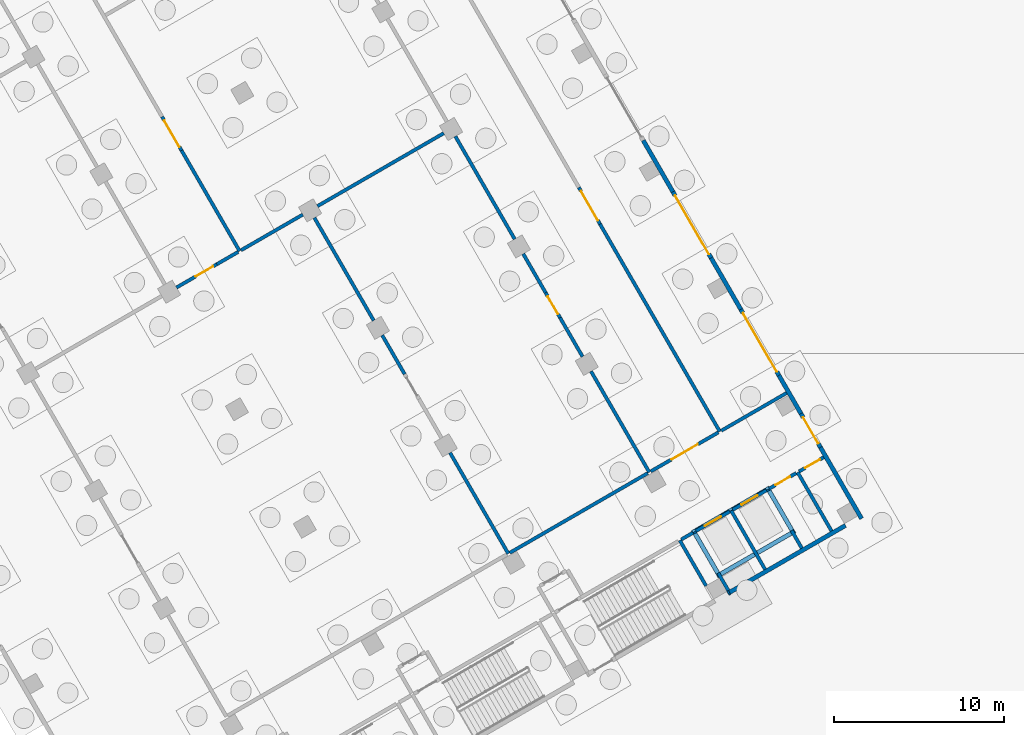
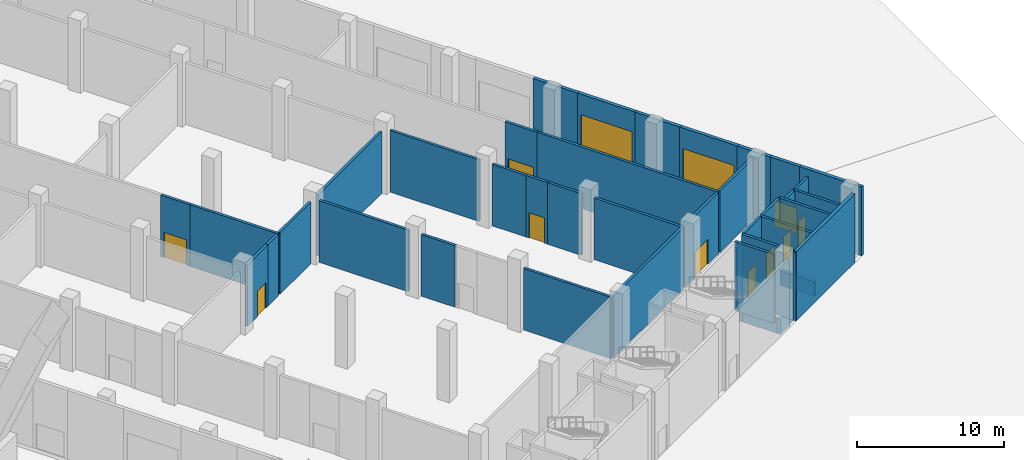
# One storey, part 22 of 38: 42 walls, 12 doors, 12 openings.
"""IFC4 building model written with IfcOpenShell, lengths in metres."""

from ifc_helpers import new_model, si_unit, direction, frame, frame_2d, origin, place, context, subcontext, project, spatial, rectangle, extrude, material, layer, layer_set, type_object, element, fill, save


model = new_model("IFC4")

# Units and contexts
model_context = context("Model", 3, precision=1e-05, world=origin(), true_north=direction((0.0, 1.0)))
body_context = subcontext(model_context, "Body", "Model", "MODEL_VIEW")
ifc_project = project(units=[si_unit("LENGTHUNIT", "METRE"), si_unit("AREAUNIT", "SQUARE_METRE"), si_unit("VOLUMEUNIT", "CUBIC_METRE"), si_unit("PLANEANGLEUNIT", "RADIAN"), si_unit("MASSUNIT", "GRAM", prefix="KILO")], contexts=[model_context])

# Site, building, storey
site_placement = place(None, origin())
site = spatial("IfcSite", under=ifc_project, at=site_placement, CompositionType="ELEMENT")
building_placement = place(site_placement, origin())
building = spatial("IfcBuilding", under=site, at=building_placement, Name="Mestral Congress Tower", CompositionType="ELEMENT")
storey_placement = place(building_placement, origin())
storey = spatial("IfcBuildingStorey", under=building, at=storey_placement, Name="L00", CompositionType="ELEMENT", Elevation=0.0)

# Walls
ifc_material_1 = material(Name="Concrete C35/45", Category="concrete")
ifc_layer_1 = layer(ifc_material_1, 0.25)
ifc_layer_set_1 = layer_set([ifc_layer_1], Name="Concrete C35/45")
wall_type_1 = type_object("IfcWallType", Name="Lift pit wall 250 C35/45", PredefinedType="SOLIDWALL", material=ifc_layer_set_1)
for number, where, z_axis, x_axis, name in (
    (1, (75.3935546875, -1.12939453125, -1.5), (0.0, 0.0, 1.0), (0.866029095148, 0.499993606316, 0.0), "WL-PIT-E0-A"),
    (2, (73.918701171875, 1.42529296875, -1.5), (0.0, 0.0, 1.0), (0.866029095148, 0.499993606316, 0.0), "WL-PIT-E0-B"),
):
    element("IfcWall", number, at=place(storey_placement, frame(where, z_axis=z_axis, x_axis=x_axis)), inside=storey, type_object=wall_type_1, Name=name, PredefinedType="SOLIDWALL", context=body_context, shape_type="SweptSolid", body=[
        extrude(rectangle(XDim=5.2998046875, YDim=0.25, at=frame_2d((2.64990234375, 0.0))), origin(), (0.0, 0.0, 1.0), 1.199951171875),
    ])
wall_1_placement = place(storey_placement, frame((75.439208984375, -0.958740234375, -1.5), z_axis=(0.0, 0.0, 1.0), x_axis=(-0.499980770555, 0.866036505625, 0.0)))
element("IfcWall", 3, at=wall_1_placement, inside=storey, type_object=wall_type_1, Name="WL-PIT-E0-C", PredefinedType="SOLIDWALL", context=body_context, shape_type="SweptSolid", body=[
    extrude(rectangle(XDim=2.69970703125, YDim=0.25, at=frame_2d((1.349853515625, 0.0))), origin(), (0.0, 0.0, 1.0), 1.199951171875),
])
wall_2_placement = place(storey_placement, frame((79.812744140625, 1.566162109375, -1.5), z_axis=(0.0, 0.0, 1.0), x_axis=(-0.4999416173, 0.866059108428, 0.0)))
element("IfcWall", 4, at=wall_2_placement, inside=storey, type_object=wall_type_1, Name="WL-PIT-E0-D", PredefinedType="SOLIDWALL", context=body_context, shape_type="SweptSolid", body=[
    extrude(rectangle(XDim=2.699951171875, YDim=0.25, at=frame_2d((1.35009765625, 0.0))), origin(), (0.0, 0.0, 1.0), 1.199951171875),
])
ifc_material_2 = material(Name="Precast concrete C40/50 with limestone facing", Category="masonry")
ifc_layer_2 = layer(ifc_material_2, 0.25)
ifc_layer_set_2 = layer_set([ifc_layer_2], Name="Precast concrete C40/50 with limestone facing")
wall_type_2 = type_object("IfcWallType", Name="Podium external wall 250", PredefinedType="SOLIDWALL", material=ifc_layer_set_2)
wall_3_placement = place(storey_placement, frame((81.490234375, 6.460693359375, 0.0), z_axis=(0.0, 0.0, 1.0), x_axis=(0.500010041276, -0.866019606374, 0.0)))
element("IfcWall", 5, at=wall_3_placement, inside=storey, type_object=wall_type_2, Name="L00 external wall", PredefinedType="SOLIDWALL", context=body_context, shape_type="SweptSolid", body=[
    extrude(rectangle(XDim=4.85009765625, YDim=0.25, at=frame_2d((2.425048828125, 0.0))), origin(), (0.0, 0.0, 1.0), 5.699951171875),
])

# Wall, opening, door
wall_4_placement = place(storey_placement, frame((80.34033203125, 8.45263671875, 0.0), z_axis=(0.0, 0.0, 1.0), x_axis=(0.499952165731, -0.866053019151, 0.0)))
wall_4 = element("IfcWall", 6, at=wall_4_placement, inside=storey, type_object=wall_type_2, Name="L00 external wall", PredefinedType="SOLIDWALL", context=body_context, shape_type="SweptSolid", body=[
    extrude(rectangle(XDim=2.300048828125, YDim=0.25, at=frame_2d((1.14990234375, 0.0))), origin(), (0.0, 0.0, 1.0), 5.699951171875),
])
opening_1_placement = place(wall_4_placement, frame((0.25, 0.0, 0.0)))
opening_1 = element("IfcOpeningElement", 7, at=opening_1_placement, cuts=wall_4, Name="Opening P00-007", PredefinedType="OPENING", context=body_context, shape_type="SweptSolid", body=[
    extrude(rectangle(XDim=1.800048828125, YDim=2.10009765625, at=frame_2d((0.89990234375, 1.050048828125))), frame((0.0, 0.135009765625, 0.0), z_axis=(0.0, -1.0, 0.0), x_axis=(1.0, 0.0, 0.0)), (0.0, 0.0, 1.0), 0.27001953125),
])
ifc_material_3 = material(Name="Steel and glass door set", Category="steel")
door_type_1 = type_object("IfcDoorType", Name="Podium exit door 1800x2100", OperationType="DOUBLE_DOOR_SINGLE_SWING", PredefinedType="DOOR", material=ifc_material_3)
door_1_placement = place(opening_1_placement, origin())
door_1 = element("IfcDoor", 8, at=door_1_placement, inside=storey, type_object=door_type_1, Name="Door P00-007", OperationType="DOUBLE_DOOR_SINGLE_SWING", OverallHeight=2.10009765625, OverallWidth=1.800048828125, PredefinedType="DOOR", context=body_context, shape_type="SweptSolid", body=[
    extrude(rectangle(XDim=1.800048828125, YDim=2.10009765625, at=frame_2d((0.89990234375, 1.050048828125))), frame((0.0, 0.02490234375, 0.0), z_axis=(0.0, -1.0, 0.0), x_axis=(1.0, 0.0, 0.0)), (0.0, 0.0, 1.0), 0.050048828125),
])
fill(opening_1, door_1)

# Wall
wall_5_placement = place(storey_placement, frame((79.040283203125, 10.7041015625, 0.0), z_axis=(0.0, 0.0, 1.0), x_axis=(0.500047596559, -0.865997922154, 0.0)))
element("IfcWall", 9, at=wall_5_placement, inside=storey, type_object=wall_type_2, Name="L00 external wall", PredefinedType="SOLIDWALL", context=body_context, shape_type="SweptSolid", body=[
    extrude(rectangle(XDim=2.599853515625, YDim=0.25, at=frame_2d((1.2998046875, 0.0))), origin(), (0.0, 0.0, 1.0), 5.699951171875),
])

# Wall, opening, door
wall_6_placement = place(storey_placement, frame((76.790283203125, 14.601318359375, 0.0), z_axis=(0.0, 0.0, 1.0), x_axis=(0.499990139034, -0.866031096941, 0.0)))
wall_6 = element("IfcWall", 10, at=wall_6_placement, inside=storey, type_object=wall_type_2, Name="L00 external wall", PredefinedType="SOLIDWALL", context=body_context, shape_type="SweptSolid", body=[
    extrude(rectangle(XDim=4.5, YDim=0.25, at=frame_2d((2.25, 0.0))), origin(), (0.0, 0.0, 1.0), 5.699951171875),
])
opening_2_placement = place(wall_6_placement, frame((0.25, 0.0, 0.0)))
opening_2 = element("IfcOpeningElement", 11, at=opening_2_placement, cuts=wall_6, Name="Opening P00-008", PredefinedType="OPENING", context=body_context, shape_type="SweptSolid", body=[
    extrude(rectangle(XDim=4.0, YDim=4.0, at=frame_2d((2.0, 2.0))), frame((0.0, 0.135009765625, 0.0), z_axis=(0.0, -1.0, 0.0), x_axis=(1.0, 0.0, 0.0)), (0.0, 0.0, 1.0), 0.27001953125),
])
ifc_material_4 = material(Name="Fire-rated steel door set", Category="steel")
door_type_2 = type_object("IfcDoorType", Name="Podium service door 4000x4000", OperationType="ROLLINGUP", PredefinedType="DOOR", material=ifc_material_4)
door_2_placement = place(opening_2_placement, origin())
door_2 = element("IfcDoor", 12, at=door_2_placement, inside=storey, type_object=door_type_2, Name="Door P00-008", OperationType="ROLLINGUP", OverallHeight=4.0, OverallWidth=4.0, PredefinedType="DOOR", context=body_context, shape_type="SweptSolid", body=[
    extrude(rectangle(XDim=4.0, YDim=4.0, at=frame_2d((2.0, 2.0))), frame((0.0, 0.02490234375, 0.0), z_axis=(0.0, -1.0, 0.0), x_axis=(1.0, 0.0, 0.0)), (0.0, 0.0, 1.0), 0.050048828125),
])
fill(opening_2, door_2)

# Wall
wall_7_placement = place(storey_placement, frame((75.040283203125, 17.632568359375, 0.0), z_axis=(0.0, 0.0, 1.0), x_axis=(0.499980071345, -0.866036909293, 0.0)))
element("IfcWall", 13, at=wall_7_placement, inside=storey, type_object=wall_type_2, Name="L00 external wall", PredefinedType="SOLIDWALL", context=body_context, shape_type="SweptSolid", body=[
    extrude(rectangle(XDim=3.500244140625, YDim=0.25, at=frame_2d((1.75, 0.0))), origin(), (0.0, 0.0, 1.0), 5.699951171875),
])

# Wall, opening, door
wall_8_placement = place(storey_placement, frame((72.790283203125, 21.529541015625, 0.0), z_axis=(0.0, 0.0, 1.0), x_axis=(0.500013631625, -0.866017533419, 0.0)))
wall_8 = element("IfcWall", 14, at=wall_8_placement, inside=storey, type_object=wall_type_2, Name="L00 external wall", PredefinedType="SOLIDWALL", context=body_context, shape_type="SweptSolid", body=[
    extrude(rectangle(XDim=4.499755859375, YDim=0.25, at=frame_2d((2.25, 0.0))), origin(), (0.0, 0.0, 1.0), 5.699951171875),
])
opening_3_placement = place(wall_8_placement, frame((0.25, 0.0, 0.0)))
opening_3 = element("IfcOpeningElement", 15, at=opening_3_placement, cuts=wall_8, Name="Opening P00-009", PredefinedType="OPENING", context=body_context, shape_type="SweptSolid", body=[
    extrude(rectangle(XDim=4.0, YDim=4.0, at=frame_2d((2.0, 2.0))), frame((0.0, 0.135009765625, 0.0), z_axis=(0.0, -1.0, 0.0), x_axis=(1.0, 0.0, 0.0)), (0.0, 0.0, 1.0), 0.27001953125),
])
door_3_placement = place(opening_3_placement, origin())
door_3 = element("IfcDoor", 16, at=door_3_placement, inside=storey, type_object=door_type_2, Name="Door P00-009", OperationType="ROLLINGUP", OverallHeight=4.0, OverallWidth=4.0, PredefinedType="DOOR", context=body_context, shape_type="SweptSolid", body=[
    extrude(rectangle(XDim=4.0, YDim=4.0, at=frame_2d((2.0, 2.0))), frame((0.0, 0.02490234375, 0.0), z_axis=(0.0, -1.0, 0.0), x_axis=(1.0, 0.0, 0.0)), (0.0, 0.0, 1.0), 0.050048828125),
])
fill(opening_3, door_3)

# Walls
wall_9_placement = place(storey_placement, frame((71.040283203125, 24.560791015625, 0.0), z_axis=(0.0, 0.0, 1.0), x_axis=(0.499980071345, -0.866036909293, 0.0)))
element("IfcWall", 17, at=wall_9_placement, inside=storey, type_object=wall_type_2, Name="L00 external wall", PredefinedType="SOLIDWALL", context=body_context, shape_type="SweptSolid", body=[
    extrude(rectangle(XDim=3.500244140625, YDim=0.25, at=frame_2d((1.75, 0.0))), origin(), (0.0, 0.0, 1.0), 5.699951171875),
])
wall_10_placement = place(storey_placement, frame((82.965087890625, 1.856201171875, 0.0), z_axis=(0.0, 0.0, 1.0), x_axis=(-0.866026562566, -0.499997992926, 0.0)))
element("IfcWall", 18, at=wall_10_placement, inside=storey, type_object=wall_type_2, Name="L00 external wall", PredefinedType="SOLIDWALL", context=body_context, shape_type="SweptSolid", body=[
    extrude(rectangle(XDim=7.89990234375, YDim=0.25, at=frame_2d((3.949951171875, 0.0))), origin(), (0.0, 0.0, 1.0), 5.699951171875),
])
wall_11_placement = place(storey_placement, frame((76.12353515625, -2.09375, 0.0), z_axis=(0.0, 0.0, 1.0), x_axis=(-0.865982457891, -0.500074377092, 0.0)))
element("IfcWall", 19, at=wall_11_placement, inside=storey, type_object=wall_type_2, Name="L00 external wall", PredefinedType="SOLIDWALL", context=body_context, shape_type="SweptSolid", body=[
    extrude(rectangle(XDim=0.10009765625, YDim=0.25, at=frame_2d((0.050048828125, 0.0))), origin(), (0.0, 0.0, 1.0), 5.699951171875),
])
ifc_material_5 = material(Name="Masonry block wall", Category="masonry")
ifc_layer_3 = layer(ifc_material_5, 0.199951171875)
ifc_layer_set_3 = layer_set([ifc_layer_3], Name="Masonry block wall")
wall_type_3 = type_object("IfcWallType", Name="Podium stair enclosure wall 200 EI 120 load-bearing", PredefinedType="SOLIDWALL", material=ifc_layer_set_3)
wall_12_placement = place(storey_placement, frame((74.7451171875, -1.7060546875, 0.0), z_axis=(0.0, 0.0, 1.0), x_axis=(-0.500026960575, 0.86600983753, 0.0)))
element("IfcWall", 20, at=wall_12_placement, inside=storey, type_object=wall_type_3, Name="L00 partition", PredefinedType="SOLIDWALL", context=body_context, shape_type="SweptSolid", body=[
    extrude(rectangle(XDim=3.099853515625, YDim=0.199951171875, at=frame_2d((1.5498046875, 0.0))), origin(), (0.0, 0.0, 1.0), 5.699951171875),
])
for number, where, z_axis, x_axis, name in (
    (21, (76.06103515625, -1.985595703125, 0.0), (0.0, 0.0, 1.0), (-0.49999894854, 0.866026010844, 0.0), "L00 partition"),
    (22, (78.22607421875, -0.735595703125, 0.0), (0.0, 0.0, 1.0), (-0.49999894854, 0.866026010844, 0.0), "L00 partition"),
    (23, (80.39111328125, 0.514404296875, 0.0), (0.0, 0.0, 1.0), (-0.49999894854, 0.866026010844, 0.0), "L00 partition"),
):
    element("IfcWall", number, at=place(storey_placement, frame(where, z_axis=z_axis, x_axis=x_axis)), inside=storey, type_object=wall_type_3, Name=name, PredefinedType="SOLIDWALL", context=body_context, shape_type="SweptSolid", body=[
        extrude(rectangle(XDim=4.0, YDim=0.199951171875, at=frame_2d((2.0, 0.0))), origin(), (0.0, 0.0, 1.0), 5.699951171875),
    ])

# Wall, opening, door
wall_13_placement = place(storey_placement, frame((76.139404296875, 2.6787109375, 0.0), z_axis=(0.0, 0.0, 1.0), x_axis=(-0.865980515519, -0.500077740698, 0.0)))
wall_13 = element("IfcWall", 24, at=wall_13_placement, inside=storey, type_object=wall_type_3, Name="L00 partition", PredefinedType="SOLIDWALL", context=body_context, shape_type="SweptSolid", body=[
    extrude(rectangle(XDim=2.300048828125, YDim=0.199951171875, at=frame_2d((1.14990234375, 0.0))), origin(), (0.0, 0.0, 1.0), 5.699951171875),
])
opening_4_placement = place(wall_13_placement, frame((0.60009765625, 0.0, 0.0)))
opening_4 = element("IfcOpeningElement", 25, at=opening_4_placement, cuts=wall_13, Name="Opening P00-026", PredefinedType="OPENING", context=body_context, shape_type="SweptSolid", body=[
    extrude(rectangle(XDim=1.10009765625, YDim=2.10009765625, at=frame_2d((0.550048828125, 1.050048828125))), frame((0.0, 0.10986328125, 0.0), z_axis=(0.0, -1.0, 0.0), x_axis=(1.0, 0.0, 0.0)), (0.0, 0.0, 1.0), 0.219970703125),
])
door_type_3 = type_object("IfcDoorType", Name="Podium lift landing door 1100x2100 EI2 60-C5", OperationType="DOUBLE_DOOR_SLIDING", PredefinedType="DOOR", material=ifc_material_4)
door_4_placement = place(opening_4_placement, origin())
door_4 = element("IfcDoor", 26, at=door_4_placement, inside=storey, type_object=door_type_3, Name="Door P00-026", OperationType="DOUBLE_DOOR_SLIDING", OverallHeight=2.10009765625, OverallWidth=1.10009765625, PredefinedType="DOOR", context=body_context, shape_type="SweptSolid", body=[
    extrude(rectangle(XDim=1.10009765625, YDim=2.10009765625, at=frame_2d((0.550048828125, 1.050048828125))), frame((0.0, 0.02490234375, 0.0), z_axis=(0.0, -1.0, 0.0), x_axis=(1.0, 0.0, 0.0)), (0.0, 0.0, 1.0), 0.050048828125),
])
fill(opening_4, door_4)

wall_14_placement = place(storey_placement, frame((78.304443359375, 3.9287109375, 0.0), z_axis=(0.0, 0.0, 1.0), x_axis=(-0.865980515519, -0.500077740698, 0.0)))
wall_14 = element("IfcWall", 27, at=wall_14_placement, inside=storey, type_object=wall_type_3, Name="L00 partition", PredefinedType="SOLIDWALL", context=body_context, shape_type="SweptSolid", body=[
    extrude(rectangle(XDim=2.300048828125, YDim=0.199951171875, at=frame_2d((1.14990234375, 0.0))), origin(), (0.0, 0.0, 1.0), 5.699951171875),
])
opening_5_placement = place(wall_14_placement, frame((0.60009765625, 0.0, 0.0)))
opening_5 = element("IfcOpeningElement", 28, at=opening_5_placement, cuts=wall_14, Name="Opening P00-027", PredefinedType="OPENING", context=body_context, shape_type="SweptSolid", body=[
    extrude(rectangle(XDim=1.10009765625, YDim=2.10009765625, at=frame_2d((0.550048828125, 1.050048828125))), frame((0.0, 0.10986328125, 0.0), z_axis=(0.0, -1.0, 0.0), x_axis=(1.0, 0.0, 0.0)), (0.0, 0.0, 1.0), 0.219970703125),
])
door_5_placement = place(opening_5_placement, origin())
door_5 = element("IfcDoor", 29, at=door_5_placement, inside=storey, type_object=door_type_3, Name="Door P00-027", OperationType="DOUBLE_DOOR_SLIDING", OverallHeight=2.10009765625, OverallWidth=1.10009765625, PredefinedType="DOOR", context=body_context, shape_type="SweptSolid", body=[
    extrude(rectangle(XDim=1.10009765625, YDim=2.10009765625, at=frame_2d((0.550048828125, 1.050048828125))), frame((0.0, 0.02490234375, 0.0), z_axis=(0.0, -1.0, 0.0), x_axis=(1.0, 0.0, 0.0)), (0.0, 0.0, 1.0), 0.050048828125),
])
fill(opening_5, door_5)

# Wall
ifc_material_6 = material(Name="Fire-rated board partition")
ifc_layer_4 = layer(ifc_material_6, 0.199951171875)
ifc_layer_set_4 = layer_set([ifc_layer_4], Name="Fire-rated board partition")
wall_type_4 = type_object("IfcWallType", Name="Podium vestibule wall 200 EI 120", PredefinedType="PARTITIONING", material=ifc_layer_set_4)
wall_15_placement = place(storey_placement, frame((82.144775390625, 1.527099609375, 0.0), z_axis=(0.0, 0.0, 1.0), x_axis=(-0.49999894854, 0.866026010844, 0.0)))
element("IfcWall", 30, at=wall_15_placement, inside=storey, type_object=wall_type_4, Name="L00 partition", PredefinedType="PARTITIONING", context=body_context, shape_type="SweptSolid", body=[
    extrude(rectangle(XDim=4.0, YDim=0.199951171875, at=frame_2d((2.0, 0.0))), origin(), (0.0, 0.0, 1.0), 5.10009765625),
])

# Wall, opening, door
wall_16_placement = place(storey_placement, frame((80.05810546875, 4.941162109375, 0.0), z_axis=(0.0, 0.0, 1.0), x_axis=(-0.865978377894, -0.500081442387, 0.0)))
wall_16 = element("IfcWall", 31, at=wall_16_placement, inside=storey, type_object=wall_type_4, Name="L00 partition", PredefinedType="PARTITIONING", context=body_context, shape_type="SweptSolid", body=[
    extrude(rectangle(XDim=1.824951171875, YDim=0.199951171875, at=frame_2d((0.91259765625, 0.0))), origin(), (0.0, 0.0, 1.0), 5.10009765625),
])
opening_6_placement = place(wall_16_placement, frame((0.41259765625, 0.0, 0.0)))
opening_6 = element("IfcOpeningElement", 32, at=opening_6_placement, cuts=wall_16, Name="Opening P00-038", PredefinedType="OPENING", context=body_context, shape_type="SweptSolid", body=[
    extrude(rectangle(XDim=1.0, YDim=2.10009765625, at=frame_2d((0.5, 1.050048828125))), frame((0.0, 0.10986328125, 0.0), z_axis=(0.0, -1.0, 0.0), x_axis=(1.0, 0.0, 0.0)), (0.0, 0.0, 1.0), 0.219970703125),
])
door_type_4 = type_object("IfcDoorType", Name="Podium room door 1000x2100 EI2 30-C5", OperationType="SINGLE_SWING_LEFT", PredefinedType="DOOR", material=ifc_material_4)
door_6_placement = place(opening_6_placement, origin())
door_6 = element("IfcDoor", 33, at=door_6_placement, inside=storey, type_object=door_type_4, Name="Door P00-038", OperationType="SINGLE_SWING_LEFT", OverallHeight=2.10009765625, OverallWidth=1.0, PredefinedType="DOOR", context=body_context, shape_type="SweptSolid", body=[
    extrude(rectangle(XDim=1.0, YDim=2.10009765625, at=frame_2d((0.5, 1.050048828125))), frame((0.0, 0.02490234375, 0.0), z_axis=(0.0, -1.0, 0.0), x_axis=(1.0, 0.0, 0.0)), (0.0, 0.0, 1.0), 0.050048828125),
])
fill(opening_6, door_6)

wall_17_placement = place(storey_placement, frame((81.681884765625, 5.878662109375, 0.0), z_axis=(0.0, 0.0, 1.0), x_axis=(-0.865964676353, -0.500105168249, 0.0)))
wall_17 = element("IfcWall", 34, at=wall_17_placement, inside=storey, type_object=wall_type_4, Name="L00 partition", PredefinedType="PARTITIONING", context=body_context, shape_type="SweptSolid", body=[
    extrude(rectangle(XDim=1.675048828125, YDim=0.199951171875, at=frame_2d((0.83740234375, 0.0))), origin(), (0.0, 0.0, 1.0), 5.10009765625),
])
opening_7_placement = place(wall_17_placement, frame((0.262451171875, 0.0, 0.0)))
opening_7 = element("IfcOpeningElement", 35, at=opening_7_placement, cuts=wall_17, Name="Opening P00-039", PredefinedType="OPENING", context=body_context, shape_type="SweptSolid", body=[
    extrude(rectangle(XDim=1.0, YDim=2.10009765625, at=frame_2d((0.5, 1.050048828125))), frame((0.0, 0.10986328125, 0.0), z_axis=(0.0, -1.0, 0.0), x_axis=(1.0, 0.0, 0.0)), (0.0, 0.0, 1.0), 0.219970703125),
])
door_7_placement = place(opening_7_placement, origin())
door_7 = element("IfcDoor", 36, at=door_7_placement, inside=storey, type_object=door_type_4, Name="Door P00-039", OperationType="SINGLE_SWING_LEFT", OverallHeight=2.10009765625, OverallWidth=1.0, PredefinedType="DOOR", context=body_context, shape_type="SweptSolid", body=[
    extrude(rectangle(XDim=1.0, YDim=2.10009765625, at=frame_2d((0.5, 1.050048828125))), frame((0.0, 0.02490234375, 0.0), z_axis=(0.0, -1.0, 0.0), x_axis=(1.0, 0.0, 0.0)), (0.0, 0.0, 1.0), 0.050048828125),
])
fill(opening_7, door_7)

# Wall
wall_18_placement = place(storey_placement, frame((47.239013671875, 18.035888671875, 0.0), z_axis=(0.0, 0.0, 1.0), x_axis=(-0.500014519185, 0.866017020967, 0.0)))
element("IfcWall", 37, at=wall_18_placement, inside=storey, type_object=wall_type_4, Name="L00 partition", PredefinedType="PARTITIONING", context=body_context, shape_type="SweptSolid", body=[
    extrude(rectangle(XDim=6.849853515625, YDim=0.199951171875, at=frame_2d((3.4248046875, 0.0))), origin(), (0.0, 0.0, 1.0), 5.10009765625),
])

# Wall, opening, door
wall_19_placement = place(storey_placement, frame((43.81396484375, 23.968017578125, 0.0), z_axis=(0.0, 0.0, 1.0), x_axis=(-0.500031774688, 0.866007057882, 0.0)))
wall_19 = element("IfcWall", 38, at=wall_19_placement, inside=storey, type_object=wall_type_4, Name="L00 partition", PredefinedType="PARTITIONING", context=body_context, shape_type="SweptSolid", body=[
    extrude(rectangle(XDim=2.300048828125, YDim=0.199951171875, at=frame_2d((1.14990234375, 0.0))), origin(), (0.0, 0.0, 1.0), 5.10009765625),
])
opening_8_placement = place(wall_19_placement, frame((0.25, 0.0, 0.0)))
opening_8 = element("IfcOpeningElement", 39, at=opening_8_placement, cuts=wall_19, Name="Opening P00-046", PredefinedType="OPENING", context=body_context, shape_type="SweptSolid", body=[
    extrude(rectangle(XDim=1.800048828125, YDim=2.10009765625, at=frame_2d((0.89990234375, 1.050048828125))), frame((0.0, 0.10986328125, 0.0), z_axis=(0.0, -1.0, 0.0), x_axis=(1.0, 0.0, 0.0)), (0.0, 0.0, 1.0), 0.219970703125),
])
door_type_5 = type_object("IfcDoorType", Name="Podium room door 1800x2100 EI2 30-C5", OperationType="DOUBLE_DOOR_SINGLE_SWING", PredefinedType="DOOR", material=ifc_material_4)
door_8_placement = place(opening_8_placement, origin())
door_8 = element("IfcDoor", 40, at=door_8_placement, inside=storey, type_object=door_type_5, Name="Door P00-046", OperationType="DOUBLE_DOOR_SINGLE_SWING", OverallHeight=2.10009765625, OverallWidth=1.800048828125, PredefinedType="DOOR", context=body_context, shape_type="SweptSolid", body=[
    extrude(rectangle(XDim=1.800048828125, YDim=2.10009765625, at=frame_2d((0.89990234375, 1.050048828125))), frame((0.0, 0.02490234375, 0.0), z_axis=(0.0, -1.0, 0.0), x_axis=(1.0, 0.0, 0.0)), (0.0, 0.0, 1.0), 0.050048828125),
])
fill(opening_8, door_8)

# Walls
wall_20_placement = place(storey_placement, frame((63.083251953125, 0.1923828125, 0.0), z_axis=(0.0, 0.0, 1.0), x_axis=(-0.499988857673, 0.866031836714, 0.0)))
element("IfcWall", 41, at=wall_20_placement, inside=storey, type_object=wall_type_4, Name="L00 partition", PredefinedType="PARTITIONING", context=body_context, shape_type="SweptSolid", body=[
    extrude(rectangle(XDim=6.875244140625, YDim=0.199951171875, at=frame_2d((3.4375, 0.0))), origin(), (0.0, 0.0, 1.0), 5.10009765625),
])
wall_21_placement = place(storey_placement, frame((56.970703125, 10.779541015625, 0.0), z_axis=(0.0, 0.0, 1.0), x_axis=(-0.499953715521, 0.866052124492, 0.0)))
element("IfcWall", 42, at=wall_21_placement, inside=storey, type_object=wall_type_4, Name="L00 partition", PredefinedType="PARTITIONING", context=body_context, shape_type="SweptSolid", body=[
    extrude(rectangle(XDim=2.650146484375, YDim=0.199951171875, at=frame_2d((1.3251953125, 0.0))), origin(), (0.0, 0.0, 1.0), 5.10009765625),
])
wall_22_placement = place(storey_placement, frame((55.145751953125, 13.940673828125, 0.0), z_axis=(0.0, 0.0, 1.0), x_axis=(-0.500010275428, 0.866019471182, 0.0)))
element("IfcWall", 43, at=wall_22_placement, inside=storey, type_object=wall_type_4, Name="L00 partition", PredefinedType="PARTITIONING", context=body_context, shape_type="SweptSolid", body=[
    extrude(rectangle(XDim=6.999755859375, YDim=0.199951171875, at=frame_2d((3.5, 0.0))), origin(), (0.0, 0.0, 1.0), 5.10009765625),
])
wall_23_placement = place(storey_placement, frame((71.397216796875, 4.992431640625, 0.0), z_axis=(0.0, 0.0, 1.0), x_axis=(-0.500004234368, 0.866022959057, 0.0)))
element("IfcWall", 44, at=wall_23_placement, inside=storey, type_object=wall_type_4, Name="L00 partition", PredefinedType="PARTITIONING", context=body_context, shape_type="SweptSolid", body=[
    extrude(rectangle(XDim=6.875, YDim=0.199951171875, at=frame_2d((3.4375, 0.0))), origin(), (0.0, 0.0, 1.0), 5.10009765625),
])
wall_24_placement = place(storey_placement, frame((67.459716796875, 11.8125, 0.0), z_axis=(0.0, 0.0, 1.0), x_axis=(-0.499993606316, 0.866029095148, 0.0)))
element("IfcWall", 45, at=wall_24_placement, inside=storey, type_object=wall_type_4, Name="L00 partition", PredefinedType="PARTITIONING", context=body_context, shape_type="SweptSolid", body=[
    extrude(rectangle(XDim=2.64990234375, YDim=0.199951171875, at=frame_2d((1.324951171875, 0.0))), origin(), (0.0, 0.0, 1.0), 5.10009765625),
])

# Wall, opening, door
wall_25_placement = place(storey_placement, frame((65.28466796875, 15.57958984375, 0.0), z_axis=(0.0, 0.0, 1.0), x_axis=(0.500062241894, -0.865989465428, 0.0)))
wall_25 = element("IfcWall", 46, at=wall_25_placement, inside=storey, type_object=wall_type_4, Name="L00 partition", PredefinedType="PARTITIONING", context=body_context, shape_type="SweptSolid", body=[
    extrude(rectangle(XDim=1.699951171875, YDim=0.199951171875, at=frame_2d((0.85009765625, 0.0))), origin(), (0.0, 0.0, 1.0), 5.10009765625),
])
opening_9_placement = place(wall_25_placement, frame((0.25, 0.0, 0.0)))
opening_9 = element("IfcOpeningElement", 47, at=opening_9_placement, cuts=wall_25, Name="Opening P00-050", PredefinedType="OPENING", context=body_context, shape_type="SweptSolid", body=[
    extrude(rectangle(XDim=1.199951171875, YDim=2.10009765625, at=frame_2d((0.60009765625, 1.050048828125))), frame((0.0, 0.10986328125, 0.0), z_axis=(0.0, -1.0, 0.0), x_axis=(1.0, 0.0, 0.0)), (0.0, 0.0, 1.0), 0.219970703125),
])
door_type_6 = type_object("IfcDoorType", Name="Podium room door 1200x2100 EI2 30-C5", OperationType="SINGLE_SWING_LEFT", PredefinedType="DOOR", material=ifc_material_4)
door_9_placement = place(opening_9_placement, origin())
door_9 = element("IfcDoor", 48, at=door_9_placement, inside=storey, type_object=door_type_6, Name="Door P00-050", OperationType="SINGLE_SWING_LEFT", OverallHeight=2.10009765625, OverallWidth=1.199951171875, PredefinedType="DOOR", context=body_context, shape_type="SweptSolid", body=[
    extrude(rectangle(XDim=1.199951171875, YDim=2.10009765625, at=frame_2d((0.60009765625, 1.050048828125))), frame((0.0, 0.02490234375, 0.0), z_axis=(0.0, -1.0, 0.0), x_axis=(1.0, 0.0, 0.0)), (0.0, 0.0, 1.0), 0.050048828125),
])
fill(opening_9, door_9)

# Walls
wall_26_placement = place(storey_placement, frame((65.28466796875, 15.57958984375, 0.0), z_axis=(0.0, 0.0, 1.0), x_axis=(-0.499993606316, 0.866029095148, 0.0)))
element("IfcWall", 49, at=wall_26_placement, inside=storey, type_object=wall_type_4, Name="L00 partition", PredefinedType="PARTITIONING", context=body_context, shape_type="SweptSolid", body=[
    extrude(rectangle(XDim=2.64990234375, YDim=0.199951171875, at=frame_2d((1.324951171875, 0.0))), origin(), (0.0, 0.0, 1.0), 5.10009765625),
])
wall_27_placement = place(storey_placement, frame((63.459716796875, 18.740478515625, 0.0), z_axis=(0.0, 0.0, 1.0), x_axis=(-0.499995173006, 0.866028190633, 0.0)))
element("IfcWall", 50, at=wall_27_placement, inside=storey, type_object=wall_type_4, Name="L00 partition", PredefinedType="PARTITIONING", context=body_context, shape_type="SweptSolid", body=[
    extrude(rectangle(XDim=7.0, YDim=0.199951171875, at=frame_2d((3.5, 0.0))), origin(), (0.0, 0.0, 1.0), 5.10009765625),
])
wall_28_placement = place(storey_placement, frame((75.55419921875, 7.392578125, 0.0), z_axis=(0.0, 0.0, 1.0), x_axis=(-0.500005731256, 0.866022094817, 0.0)))
element("IfcWall", 51, at=wall_28_placement, inside=storey, type_object=wall_type_4, Name="L00 partition", PredefinedType="PARTITIONING", context=body_context, shape_type="SweptSolid", body=[
    extrude(rectangle(XDim=14.124755859375, YDim=0.199951171875, at=frame_2d((7.0625, 0.0))), origin(), (0.0, 0.0, 1.0), 5.10009765625),
])

# Wall, opening, door
wall_29_placement = place(storey_placement, frame((68.49169921875, 19.625, 0.0), z_axis=(0.0, 0.0, 1.0), x_axis=(-0.500004234368, 0.866022959057, 0.0)))
wall_29 = element("IfcWall", 52, at=wall_29_placement, inside=storey, type_object=wall_type_4, Name="L00 partition", PredefinedType="PARTITIONING", context=body_context, shape_type="SweptSolid", body=[
    extrude(rectangle(XDim=2.5, YDim=0.199951171875, at=frame_2d((1.25, 0.0))), origin(), (0.0, 0.0, 1.0), 5.10009765625),
])
opening_10_placement = place(wall_29_placement, frame((0.25, 0.0, 0.0)))
opening_10 = element("IfcOpeningElement", 53, at=opening_10_placement, cuts=wall_29, Name="Opening P00-051", PredefinedType="OPENING", context=body_context, shape_type="SweptSolid", body=[
    extrude(rectangle(XDim=2.0, YDim=2.10009765625, at=frame_2d((1.0, 1.050048828125))), frame((0.0, 0.10986328125, 0.0), z_axis=(0.0, -1.0, 0.0), x_axis=(1.0, 0.0, 0.0)), (0.0, 0.0, 1.0), 0.219970703125),
])
door_type_7 = type_object("IfcDoorType", Name="Podium service door 2000x2100 EI2 60-C5", OperationType="DOUBLE_DOOR_SINGLE_SWING", PredefinedType="DOOR", material=ifc_material_4)
door_10_placement = place(opening_10_placement, origin())
door_10 = element("IfcDoor", 54, at=door_10_placement, inside=storey, type_object=door_type_7, Name="Door P00-051", OperationType="DOUBLE_DOOR_SINGLE_SWING", OverallHeight=2.10009765625, OverallWidth=2.0, PredefinedType="DOOR", context=body_context, shape_type="SweptSolid", body=[
    extrude(rectangle(XDim=2.0, YDim=2.10009765625, at=frame_2d((1.0, 1.050048828125))), frame((0.0, 0.02490234375, 0.0), z_axis=(0.0, -1.0, 0.0), x_axis=(1.0, 0.0, 0.0)), (0.0, 0.0, 1.0), 0.050048828125),
])
fill(opening_10, door_10)

# Walls
wall_30_placement = place(storey_placement, frame((63.169921875, 0.242431640625, 0.0), z_axis=(0.0, 0.0, 1.0), x_axis=(0.866027286158, 0.499996739618, 0.0)))
element("IfcWall", 55, at=wall_30_placement, inside=storey, type_object=wall_type_4, Name="L00 partition", PredefinedType="PARTITIONING", context=body_context, shape_type="SweptSolid", body=[
    extrude(rectangle(XDim=9.39990234375, YDim=0.199951171875, at=frame_2d((4.699951171875, 0.0))), origin(), (0.0, 0.0, 1.0), 5.10009765625),
])
wall_31_placement = place(storey_placement, frame((75.640625, 7.4423828125, 0.0), z_axis=(0.0, 0.0, 1.0), x_axis=(0.866012907634, 0.500021643343, 0.0)))
element("IfcWall", 56, at=wall_31_placement, inside=storey, type_object=wall_type_4, Name="L00 partition", PredefinedType="PARTITIONING", context=body_context, shape_type="SweptSolid", body=[
    extrude(rectangle(XDim=4.449951171875, YDim=0.199951171875, at=frame_2d((2.22509765625, 0.0))), origin(), (0.0, 0.0, 1.0), 5.10009765625),
])

# Wall, opening, door
wall_32_placement = place(storey_placement, frame((43.514892578125, 15.8857421875, 0.0), z_axis=(0.0, 0.0, 1.0), x_axis=(0.866027397988, 0.499996545922, 0.0)))
wall_32 = element("IfcWall", 57, at=wall_32_placement, inside=storey, type_object=wall_type_4, Name="L00 partition", PredefinedType="PARTITIONING", context=body_context, shape_type="SweptSolid", body=[
    extrude(rectangle(XDim=2.75, YDim=0.199951171875, at=frame_2d((1.375, 0.0))), origin(), (0.0, 0.0, 1.0), 5.10009765625),
])
opening_11_placement = place(wall_32_placement, frame((1.300048828125, 0.0, 0.0)))
opening_11 = element("IfcOpeningElement", 58, at=opening_11_placement, cuts=wall_32, Name="Opening P00-054", PredefinedType="OPENING", context=body_context, shape_type="SweptSolid", body=[
    extrude(rectangle(XDim=1.199951171875, YDim=2.10009765625, at=frame_2d((0.60009765625, 1.050048828125))), frame((0.0, 0.10986328125, 0.0), z_axis=(0.0, -1.0, 0.0), x_axis=(1.0, 0.0, 0.0)), (0.0, 0.0, 1.0), 0.219970703125),
])
door_11_placement = place(opening_11_placement, origin())
door_11 = element("IfcDoor", 59, at=door_11_placement, inside=storey, type_object=door_type_6, Name="Door P00-054", OperationType="SINGLE_SWING_LEFT", OverallHeight=2.10009765625, OverallWidth=1.199951171875, PredefinedType="DOOR", context=body_context, shape_type="SweptSolid", body=[
    extrude(rectangle(XDim=1.199951171875, YDim=2.10009765625, at=frame_2d((0.60009765625, 1.050048828125))), frame((0.0, 0.02490234375, 0.0), z_axis=(0.0, -1.0, 0.0), x_axis=(1.0, 0.0, 0.0)), (0.0, 0.0, 1.0), 0.050048828125),
])
fill(opening_11, door_11)

# Walls
wall_33_placement = place(storey_placement, frame((45.896484375, 17.2607421875, 0.0), z_axis=(0.0, 0.0, 1.0), x_axis=(0.866017369001, 0.500013916395, 0.0)))
element("IfcWall", 60, at=wall_33_placement, inside=storey, type_object=wall_type_4, Name="L00 partition", PredefinedType="PARTITIONING", context=body_context, shape_type="SweptSolid", body=[
    extrude(rectangle(XDim=1.4501953125, YDim=0.199951171875, at=frame_2d((0.72509765625, 0.0))), origin(), (0.0, 0.0, 1.0), 5.10009765625),
])
wall_34_placement = place(storey_placement, frame((47.325439453125, 18.085693359375, 0.0), z_axis=(0.0, 0.0, 1.0), x_axis=(0.866023935413, 0.500002543286, 0.0)))
element("IfcWall", 61, at=wall_34_placement, inside=storey, type_object=wall_type_4, Name="L00 partition", PredefinedType="PARTITIONING", context=body_context, shape_type="SweptSolid", body=[
    extrude(rectangle(XDim=4.2001953125, YDim=0.199951171875, at=frame_2d((2.10009765625, 0.0))), origin(), (0.0, 0.0, 1.0), 5.10009765625),
])
wall_35_placement = place(storey_placement, frame((51.828857421875, 20.685791015625, 0.0), z_axis=(0.0, 0.0, 1.0), x_axis=(0.866021068297, 0.500007509209, 0.0)))
element("IfcWall", 62, at=wall_35_placement, inside=storey, type_object=wall_type_4, Name="L00 partition", PredefinedType="PARTITIONING", context=body_context, shape_type="SweptSolid", body=[
    extrude(rectangle(XDim=8.599853515625, YDim=0.199951171875, at=frame_2d((4.2998046875, 0.0))), origin(), (0.0, 0.0, 1.0), 5.10009765625),
])
wall_36_placement = place(storey_placement, frame((73.281494140625, 1.028564453125, 0.0), z_axis=(0.0, 0.0, 1.0), x_axis=(0.865961984968, 0.500109828528, 0.0)))
element("IfcWall", 63, at=wall_36_placement, inside=storey, type_object=wall_type_4, Name="L00 partition", PredefinedType="PARTITIONING", context=body_context, shape_type="SweptSolid", body=[
    extrude(rectangle(XDim=0.800048828125, YDim=0.199951171875, at=frame_2d((0.39990234375, 0.0))), origin(), (0.0, 0.0, 1.0), 5.10009765625),
])

# Wall, opening, door
wall_37_placement = place(storey_placement, frame((75.467529296875, 7.342529296875, 0.0), z_axis=(0.0, 0.0, 1.0), x_axis=(-0.866016770315, -0.500014953309, 0.0)))
wall_37 = element("IfcWall", 64, at=wall_37_placement, inside=storey, type_object=wall_type_4, Name="L00 partition", PredefinedType="PARTITIONING", context=body_context, shape_type="SweptSolid", body=[
    extrude(rectangle(XDim=4.599853515625, YDim=0.199951171875, at=frame_2d((2.2998046875, 0.0))), origin(), (0.0, 0.0, 1.0), 5.10009765625),
])
opening_12_placement = place(wall_37_placement, frame((1.39990234375, 0.0, 0.0)))
opening_12 = element("IfcOpeningElement", 65, at=opening_12_placement, cuts=wall_37, Name="Opening P00-056", PredefinedType="OPENING", context=body_context, shape_type="SweptSolid", body=[
    extrude(rectangle(XDim=1.800048828125, YDim=2.10009765625, at=frame_2d((0.89990234375, 1.050048828125))), frame((0.0, 0.10986328125, 0.0), z_axis=(0.0, -1.0, 0.0), x_axis=(1.0, 0.0, 0.0)), (0.0, 0.0, 1.0), 0.219970703125),
])
door_12_placement = place(opening_12_placement, origin())
door_12 = element("IfcDoor", 66, at=door_12_placement, inside=storey, type_object=door_type_5, Name="Door P00-056", OperationType="DOUBLE_DOOR_SINGLE_SWING", OverallHeight=2.10009765625, OverallWidth=1.800048828125, PredefinedType="DOOR", context=body_context, shape_type="SweptSolid", body=[
    extrude(rectangle(XDim=1.800048828125, YDim=2.10009765625, at=frame_2d((0.89990234375, 1.050048828125))), frame((0.0, 0.02490234375, 0.0), z_axis=(0.0, -1.0, 0.0), x_axis=(1.0, 0.0, 0.0)), (0.0, 0.0, 1.0), 0.050048828125),
])
fill(opening_12, door_12)

save(model, "model.ifc")
